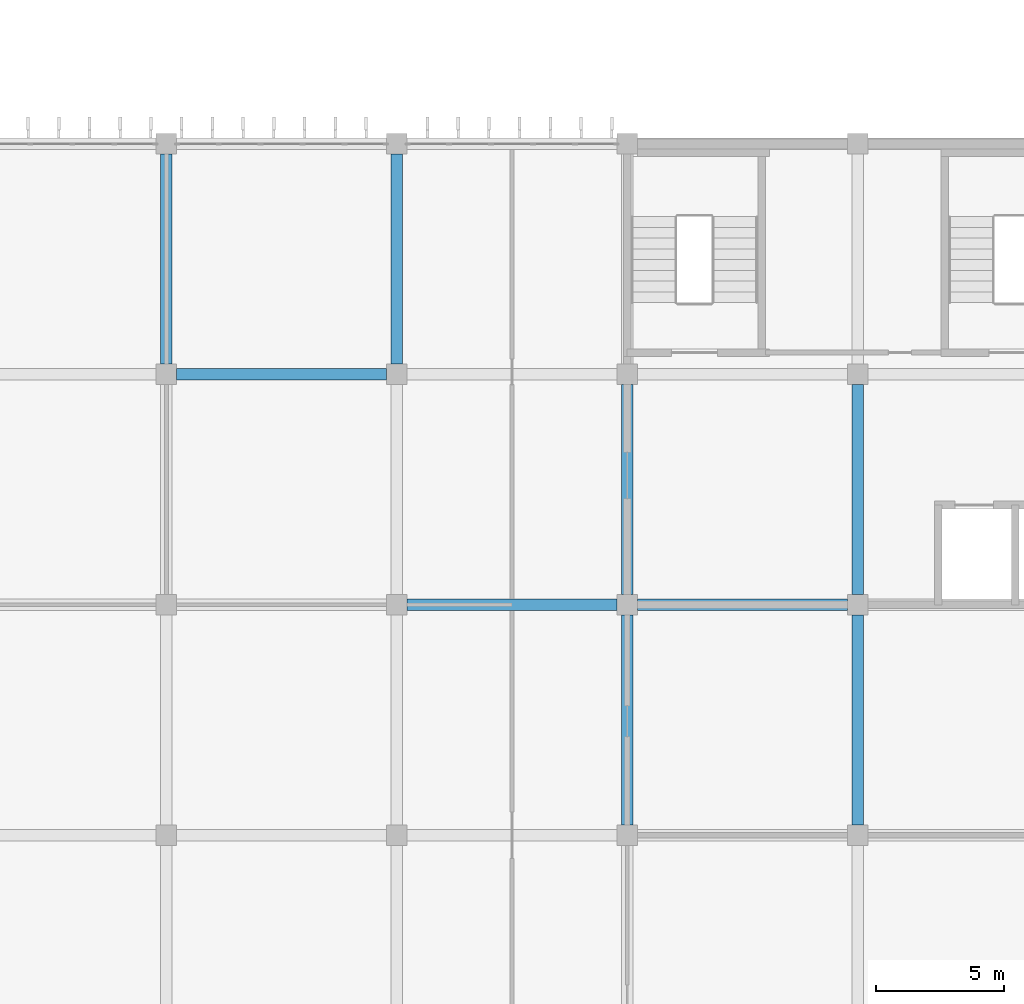
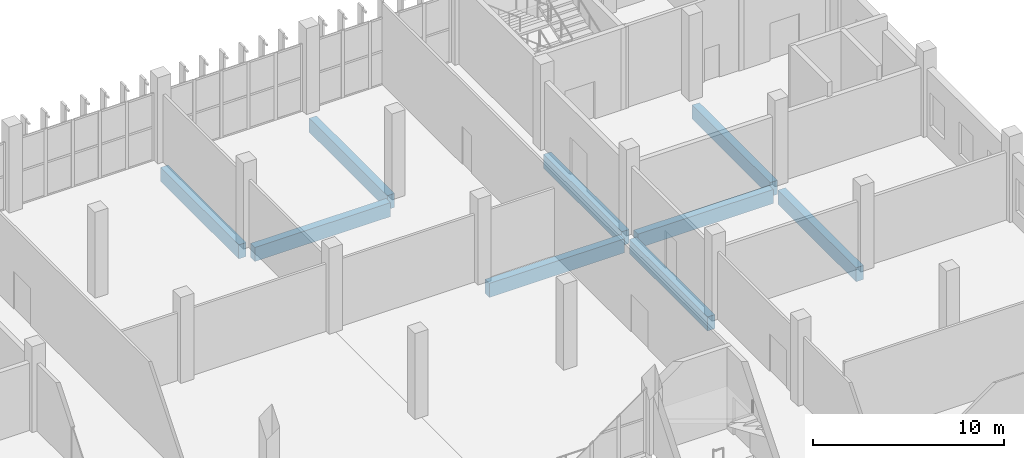
# One storey, part 27 of 185: 9 beams.
"""IFC4 building model written with IfcOpenShell, lengths in metres."""

from ifc_helpers import new_model, si_unit, direction, frame, origin, origin_2d, place, context, subcontext, project, spatial, rectangle, extrude, material, material_profile, profile_set, type_object, element, save


model = new_model("IFC4")

# Units and contexts
model_context = context("Model", 3, precision=1e-05, world=origin(), true_north=direction((0.0, 1.0)))
body_context = subcontext(model_context, "Body", "Model", "MODEL_VIEW")
ifc_project = project(units=[si_unit("LENGTHUNIT", "METRE"), si_unit("AREAUNIT", "SQUARE_METRE"), si_unit("VOLUMEUNIT", "CUBIC_METRE"), si_unit("PLANEANGLEUNIT", "RADIAN"), si_unit("MASSUNIT", "GRAM", prefix="KILO")], contexts=[model_context])

# Site, building, storey
site_placement = place(None, origin())
site = spatial("IfcSite", under=ifc_project, at=site_placement, CompositionType="ELEMENT")
building_placement = place(site_placement, origin())
building = spatial("IfcBuilding", under=site, at=building_placement, Name="Opaline Strait Convention Centre", CompositionType="ELEMENT")
storey_placement = place(building_placement, frame((0.0, 0.0, 6.0)))
storey = spatial("IfcBuildingStorey", under=building, at=storey_placement, Name="L01", CompositionType="ELEMENT", Elevation=6.0)

# Beams
ifc_material = material(Name="Concrete C35", Category="concrete")
ifc_material_profile = material_profile(ifc_material, rectangle(XDim=0.449951171875, YDim=0.89990234375, at=origin_2d()), Name="RC 450x900")
ifc_profile_set = profile_set([ifc_material_profile], Name="Concrete C35")
beam_type = type_object("IfcBeamType", Name="RC beam 450x900 C35", PredefinedType="BEAM", material=ifc_profile_set)
for number, where, z_axis, x_axis, name in (
    (1, (54.39990234375, 81.0, -0.72998046875), (1.0, 0.0, 0.0), (0.0, 1.0, 0.0), "XB1 L01 54/81-63/81"),
    (2, (63.39990234375, 81.0, -0.72998046875), (1.0, 0.0, 0.0), (0.0, 1.0, 0.0), "XB1 L01 63/81-72/81"),
    (3, (45.39990234375, 90.0, -0.72998046875), (1.0, 0.0, 0.0), (0.0, 1.0, 0.0), "XB1 L01 45/90-54/90"),
    (4, (45.0, 90.39990234375, -0.72998046875), (0.0, 1.0, 0.0), (-1.0, 0.0, 0.0), "XB1 L01 45/90-45/99"),
    (5, (54.0, 90.39990234375, -0.72998046875), (0.0, 1.0, 0.0), (-1.0, 0.0, 0.0), "XB1 L01 54/90-54/99"),
    (6, (63.0, 72.39990234375, -0.72998046875), (0.0, 1.0, 0.0), (-1.0, 0.0, 0.0), "XB1 L01 63/72-63/81"),
    (7, (63.0, 81.39990234375, -0.72998046875), (0.0, 1.0, 0.0), (-1.0, 0.0, 0.0), "XB1 L01 63/81-63/90"),
    (8, (72.0, 72.39990234375, -0.72998046875), (0.0, 1.0, 0.0), (-1.0, 0.0, 0.0), "XB1 L01 72/72-72/81"),
    (9, (72.0, 81.39990234375, -0.72998046875), (0.0, 1.0, 0.0), (-1.0, 0.0, 0.0), "XB1 L01 72/81-72/90"),
):
    element("IfcBeam", number, at=place(storey_placement, frame(where, z_axis=z_axis, x_axis=x_axis)), inside=storey, type_object=beam_type, Name=name, PredefinedType="BEAM", context=body_context, shape_type="SweptSolid", body=[
        extrude(rectangle(XDim=0.449951171875, YDim=0.89990234375, at=origin_2d()), origin(), (0.0, 0.0, 1.0), 8.2001953125),
    ])

save(model, "model.ifc")
